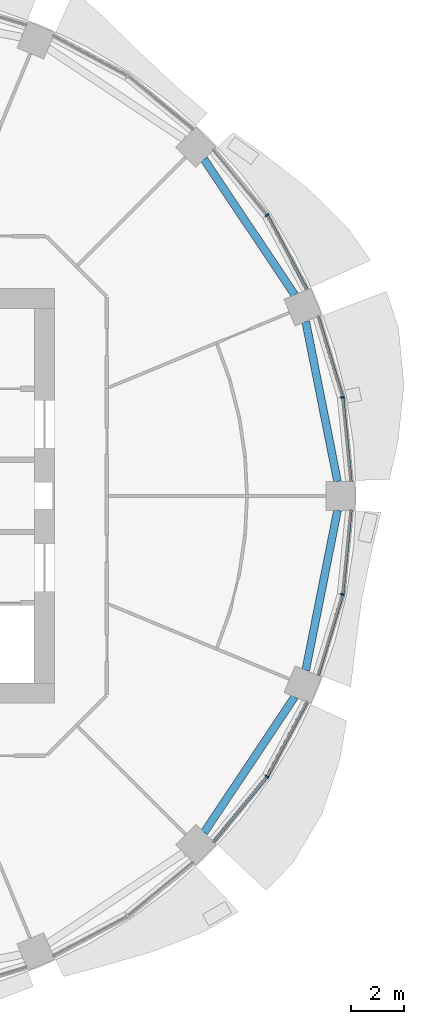
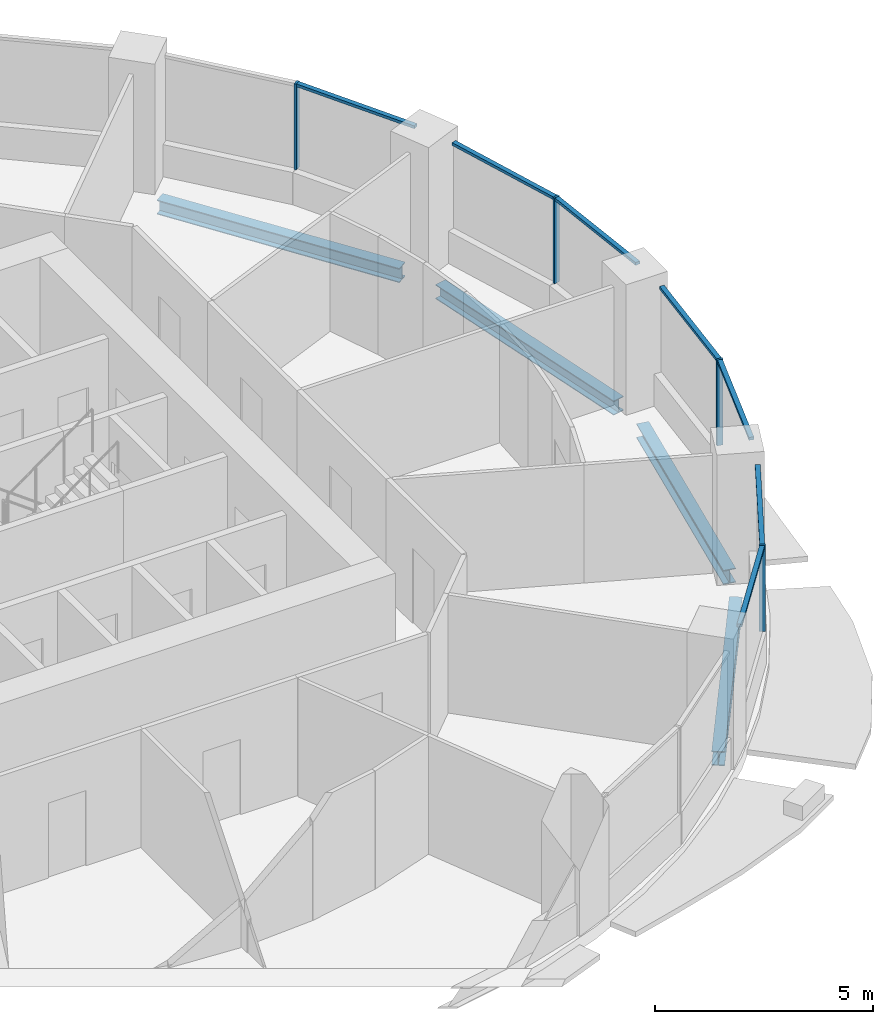
# One storey, part 5 of 15: 11 members, 4 beams, 4 elements without a shape of their own.
"""IFC4 building model written with IfcOpenShell, lengths in metres."""

import ifcopenshell
import ifcopenshell.guid

model = None  # the IFC model being written
_history = None  # IfcOwnerHistory: only IFC2X3 demands one
_inside = {}  # id of a spatial element -> (the spatial element, [elements in it])
_under = {}  # id of a project, library or spatial element -> (it, [spatial elements below it])
_declared = {}  # id of a project -> (the project, [libraries it declares])
_typed = {}  # id of a type object -> (the type object, [elements of that type])
_made_of = {}  # id of a material, layer set ... -> (it, [elements and type objects made of it])


def new_model(schema):
    """Start an empty IFC model of exactly this schema.

    Asked for "IFC4X3", IfcOpenShell would pick the latest addendum, in which some entities
    have other attributes; the version numbers below select the first issue.
    IFC2X3 requires an IfcOwnerHistory on every rooted entity: one is made here for all.
    """
    global model, _history
    if schema == "IFC4X3":
        model = ifcopenshell.file(schema_version=(4, 3, 0, 0))
    else:
        model = ifcopenshell.file(schema=schema)
    _inside.clear()
    _under.clear()
    _declared.clear()
    _typed.clear()
    _made_of.clear()
    _history = None
    if model.schema == "IFC2X3":
        org = make("IfcOrganization", Name="unknown")
        user = make(
            "IfcPersonAndOrganization",
            ThePerson=make("IfcPerson", FamilyName="unknown"),
            TheOrganization=org,
        )
        app = make(
            "IfcApplication",
            ApplicationDeveloper=org,
            Version="unknown",
            ApplicationFullName="unknown",
            ApplicationIdentifier="unknown",
        )
        _history = make(
            "IfcOwnerHistory",
            OwningUser=user,
            OwningApplication=app,
            ChangeAction="ADDED",
            CreationDate=0,
        )
    return model


def make(cls, **values):
    """One entity of the class cls with the attributes given. An attribute that is None is left unset."""
    return model.create_entity(
        cls, **{name: value for name, value in values.items() if value is not None}
    )


def rooted(cls, **values):
    """An entity with a GlobalId (a new one), such as an element, a storey or a relation."""
    return make(cls, GlobalId=ifcopenshell.guid.new(), OwnerHistory=_history, **values)


def si_unit(unit_type, name, prefix=None):
    """IfcSIUnit, for example si_unit("LENGTHUNIT", "METRE", prefix="MILLI")."""
    return make("IfcSIUnit", UnitType=unit_type, Prefix=prefix, Name=name)


def assignment(units):
    """IfcUnitAssignment: the units of a project."""
    return None if units is None else make("IfcUnitAssignment", Units=units)


def point(xyz):
    """IfcCartesianPoint."""
    return None if xyz is None else make("IfcCartesianPoint", Coordinates=xyz)


def direction(xyz):
    """IfcDirection."""
    return None if xyz is None else make("IfcDirection", DirectionRatios=xyz)


def frame(location, z_axis=None, x_axis=None):
    """IfcAxis2Placement3D, a coordinate frame: its origin and axes. An axis left out is left unset."""
    return make(
        "IfcAxis2Placement3D",
        Location=point(location),
        Axis=direction(z_axis),
        RefDirection=direction(x_axis),
    )


def frame_2d(location, x_axis=None):
    """IfcAxis2Placement2D, a coordinate frame in the plane: its origin and x axis."""
    return make(
        "IfcAxis2Placement2D", Location=point(location), RefDirection=direction(x_axis)
    )


def origin():
    """The frame at (0, 0, 0) with its axes left unset."""
    return frame((0.0, 0.0, 0.0))


def origin_2d():
    """The frame at (0, 0) in the plane with its x axis left unset."""
    return frame_2d((0.0, 0.0))


def place(relative_to, where):
    """IfcLocalPlacement: puts the frame where relative to a parent placement (None: the world)."""
    return make(
        "IfcLocalPlacement", PlacementRelTo=relative_to, RelativePlacement=where
    )


def context(
    kind, dimensions, precision=None, world=None, true_north=None, identifier=None
):
    """IfcGeometricRepresentationContext, for example the 3D "Model" context."""
    return make(
        "IfcGeometricRepresentationContext",
        ContextIdentifier=identifier,
        ContextType=kind,
        CoordinateSpaceDimension=dimensions,
        Precision=precision,
        WorldCoordinateSystem=world,
        TrueNorth=true_north,
    )


def subcontext(parent, identifier, kind, view, scale=None):
    """IfcGeometricRepresentationSubContext, for example "Body" below "Model"."""
    return make(
        "IfcGeometricRepresentationSubContext",
        ContextIdentifier=identifier,
        ContextType=kind,
        ParentContext=parent,
        TargetScale=scale,
        TargetView=view,
    )


def project(units=None, contexts=None):
    """IfcProject with its units and contexts."""
    return rooted(
        "IfcProject",
        Name="project",
        RepresentationContexts=contexts,
        UnitsInContext=assignment(units),
    )


def spatial(cls, under=None, at=None, **own):
    """A site, building, storey or space (cls), placed at a placement, below another one or the project."""
    s = rooted(cls, ObjectPlacement=at, **own)
    if under is not None:
        _under.setdefault(under.id(), (under, []))[1].append(s)
    return s


def profile(cls, at=None, kind="AREA", **sizes):
    """A parametric profile (cls). Its sizes go by their IFC names, for example OverallWidth=200.0."""
    return make(cls, ProfileType=kind, Position=at, **sizes)


def rectangle(**sizes):
    """IfcRectangleProfileDef."""
    return profile("IfcRectangleProfileDef", **sizes)


def i_section(**sizes):
    """IfcIShapeProfileDef."""
    return profile("IfcIShapeProfileDef", **sizes)


def extrude(swept, where, along, depth):
    """IfcExtrudedAreaSolid: the profile swept, set in the frame where, extruded along a direction by depth."""
    return make(
        "IfcExtrudedAreaSolid",
        SweptArea=swept,
        Position=where,
        ExtrudedDirection=direction(along),
        Depth=depth,
    )


def shape(context_of_items, identifier, shape_type, items):
    """IfcShapeRepresentation: the items that make up one representation, for example the "Body"."""
    return make(
        "IfcShapeRepresentation",
        ContextOfItems=context_of_items,
        RepresentationIdentifier=identifier,
        RepresentationType=shape_type,
        Items=items,
    )


def material(Name=None, Category=None):
    """IfcMaterial."""
    return make("IfcMaterial", Name=Name, Category=Category)


def material_profile(
    of_material, cross_section, Name=None, Category=None, Priority=None
):
    """IfcMaterialProfile: a cross section and its material."""
    return make(
        "IfcMaterialProfile",
        Name=Name,
        Material=of_material,
        Profile=cross_section,
        Priority=Priority,
        Category=Category,
    )


def profile_set(profiles, Name=None, composite=None):
    """IfcMaterialProfileSet."""
    return make(
        "IfcMaterialProfileSet",
        Name=Name,
        MaterialProfiles=profiles,
        CompositeProfile=composite,
    )


def made_of(thing, what):
    """Note that an element or type object is made of a material, layer set ...; save() writes the relation."""
    if what is not None:
        _made_of.setdefault(what.id(), (what, []))[1].append(thing)
    return thing


def type_object(cls, material=None, **own):
    """A type object (cls), such as IfcWallType, which elements share."""
    return made_of(rooted(cls, **own), material)


def element(
    cls,
    number,
    at=None,
    inside=None,
    cuts=None,
    type_object=None,
    material=None,
    context=None,
    identifier="Body",
    shape_type=None,
    held_by="IfcProductDefinitionShape",
    body=None,
    shapes=None,
    **own,
):
    """One element of the class cls, such as IfcWall. Its Tag is "e" and its number.

    at: its placement. inside: the storey or other place that contains it. cuts: it is an
    opening in that element (IfcRelVoidsElement). A single representation is given by context,
    identifier, shape_type and body (its items); several are given by shapes. held_by: the class
    of the entity that holds the representations. save() writes the other relations.
    """
    e = rooted(cls, Tag="e%d" % number, ObjectPlacement=at, **own)
    if body is not None:
        shapes = [shape(context, identifier, shape_type, body)]
    if shapes is not None:
        e.Representation = make(held_by, Representations=shapes)
    if inside is not None:
        _inside.setdefault(inside.id(), (inside, []))[1].append(e)
    if cuts is not None:
        rooted(
            "IfcRelVoidsElement", RelatingBuildingElement=cuts, RelatedOpeningElement=e
        )
    if type_object is not None:
        _typed.setdefault(type_object.id(), (type_object, []))[1].append(e)
    return made_of(e, material)


def aggregate(whole, parts):
    """IfcRelAggregates: a whole, such as a stair, and the parts it consists of."""
    return rooted("IfcRelAggregates", RelatingObject=whole, RelatedObjects=parts)


def save(model, path):
    """Write the relations noted so far, then the file.

    IfcRelAggregates (storeys below a building ...), IfcRelContainedInSpatialStructure (elements
    in a storey), IfcRelDefinesByType, IfcRelAssociatesMaterial and IfcRelDeclares: one each for
    every whole, place, type object, material and project.
    """
    for whole, parts in _under.values():
        aggregate(whole, parts)
    for where, things in _inside.values():
        rooted(
            "IfcRelContainedInSpatialStructure",
            RelatedElements=things,
            RelatingStructure=where,
        )
    for kind, things in _typed.values():
        rooted("IfcRelDefinesByType", RelatedObjects=things, RelatingType=kind)
    for what, things in _made_of.values():
        rooted("IfcRelAssociatesMaterial", RelatedObjects=things, RelatingMaterial=what)
    for by, libraries in _declared.values():
        rooted("IfcRelDeclares", RelatingContext=by, RelatedDefinitions=libraries)
    model.write(path)


model = new_model("IFC4")

# Units and contexts
model_context = context("Model", 3, precision=1e-05, world=origin(), true_north=direction((0.0, 1.0)))
body_context = subcontext(model_context, "Body", "Model", "MODEL_VIEW")
ifc_project = project(units=[si_unit("LENGTHUNIT", "METRE"), si_unit("AREAUNIT", "SQUARE_METRE"), si_unit("VOLUMEUNIT", "CUBIC_METRE"), si_unit("PLANEANGLEUNIT", "RADIAN"), si_unit("MASSUNIT", "GRAM", prefix="KILO")], contexts=[model_context])

# Site, building, storey
site_placement = place(None, origin())
site = spatial("IfcSite", under=ifc_project, at=site_placement, CompositionType="ELEMENT")
building_placement = place(site_placement, origin())
building = spatial("IfcBuilding", under=site, at=building_placement, Name="Polderwave Tower", CompositionType="ELEMENT")
storey_placement = place(building_placement, frame((0.0, 0.0, 87.35009765625)))
storey = spatial("IfcBuildingStorey", under=building, at=storey_placement, Name="L22", CompositionType="ELEMENT", Elevation=87.35009765625)

# Curtain wall, member
ifc_material_1 = material(Name="Aluminium 6063-T6 and glass", Category="aluminium")
curtain_wall_type = type_object("IfcCurtainWallType", Name="Growing floor ribbon glazing wall", PredefinedType="NOTDEFINED", material=ifc_material_1)
curtain_wall_1_placement = place(storey_placement, origin())
curtain_wall_1 = element("IfcCurtainWall", 1, at=curtain_wall_1_placement, inside=storey, type_object=curtain_wall_type, Name="CW2 L22 00", PredefinedType="NOTDEFINED")
ifc_material_2 = material(Name="Aluminium 6063-T6", Category="aluminium")
ifc_material_profile_1 = material_profile(ifc_material_2, rectangle(XDim=0.14990234375, YDim=0.06005859375, at=origin_2d()), Name="AL 60x150")
ifc_profile_set_1 = profile_set([ifc_material_profile_1], Name="Aluminium 6063-T6")
member_type_1 = type_object("IfcMemberType", Name="Growing floor ribbon glazing mullion 60x150", PredefinedType="MULLION", material=ifc_profile_set_1)
member_1_placement = place(storey_placement, frame((18.8310546875, 3.74609375, 0.89990234375), z_axis=(0.0, 0.0, 1.0), x_axis=(-0.980783918392, -0.195097169184, 0.0)))
member_1 = element("IfcMember", 2, at=member_1_placement, type_object=member_type_1, Name="CW2 mullion 1", PredefinedType="MULLION", context=body_context, shape_type="SweptSolid", body=[
    extrude(rectangle(XDim=0.14990234375, YDim=0.06005859375, at=origin_2d()), origin(), (0.0, 0.0, 1.0), 2.39990234375),
])

curtain_wall_2_placement = place(storey_placement, origin())
curtain_wall_2 = element("IfcCurtainWall", 3, at=curtain_wall_2_placement, inside=storey, type_object=curtain_wall_type, Name="CW2 L22 01", PredefinedType="NOTDEFINED")
member_2_placement = place(storey_placement, frame((15.964111328125, 10.6669921875, 0.89990234375), z_axis=(0.0, 0.0, 1.0), x_axis=(-0.831444400469, -0.555607963342, 0.0)))
member_2 = element("IfcMember", 4, at=member_2_placement, type_object=member_type_1, Name="CW2 mullion 1", PredefinedType="MULLION", context=body_context, shape_type="SweptSolid", body=[
    extrude(rectangle(XDim=0.14990234375, YDim=0.06005859375, at=origin_2d()), origin(), (0.0, 0.0, 1.0), 2.39990234375),
])

curtain_wall_3_placement = place(storey_placement, origin())
curtain_wall_3 = element("IfcCurtainWall", 5, at=curtain_wall_3_placement, inside=storey, type_object=curtain_wall_type, Name="CW2 L22 14", PredefinedType="NOTDEFINED")
member_3_placement = place(storey_placement, frame((15.964111328125, -10.6669921875, 0.89990234375), z_axis=(0.0, 0.0, 1.0), x_axis=(-0.831444400469, 0.555607963342, 0.0)))
member_3 = element("IfcMember", 6, at=member_3_placement, type_object=member_type_1, Name="CW2 mullion 1", PredefinedType="MULLION", context=body_context, shape_type="SweptSolid", body=[
    extrude(rectangle(XDim=0.14990234375, YDim=0.06005859375, at=origin_2d()), origin(), (0.0, 0.0, 1.0), 2.39990234375),
])

curtain_wall_4_placement = place(storey_placement, origin())
curtain_wall_4 = element("IfcCurtainWall", 7, at=curtain_wall_4_placement, inside=storey, type_object=curtain_wall_type, Name="CW2 L22 15", PredefinedType="NOTDEFINED")
member_4_placement = place(storey_placement, frame((18.8310546875, -3.74609375, 0.89990234375), z_axis=(0.0, 0.0, 1.0), x_axis=(-0.980783918392, 0.195097169184, 0.0)))
member_4 = element("IfcMember", 8, at=member_4_placement, type_object=member_type_1, Name="CW2 mullion 1", PredefinedType="MULLION", context=body_context, shape_type="SweptSolid", body=[
    extrude(rectangle(XDim=0.14990234375, YDim=0.06005859375, at=origin_2d()), origin(), (0.0, 0.0, 1.0), 2.39990234375),
])

# Member
ifc_material_profile_2 = material_profile(ifc_material_2, rectangle(XDim=0.1201171875, YDim=0.080078125, at=origin_2d()), Name="AL 80x120")
ifc_profile_set_2 = profile_set([ifc_material_profile_2], Name="Aluminium 6063-T6")
member_type_2 = type_object("IfcMemberType", Name="Growing floor ribbon glazing transom 80x120", PredefinedType="USERDEFINED", material=ifc_profile_set_2)
member_5_placement = place(storey_placement, frame((19.14599609375, 0.550048828125, 3.260009765625), z_axis=(-0.098075167681, 0.995179009769, 0.0), x_axis=(-0.995179009769, -0.098075167681, 0.0)))
member_5 = element("IfcMember", 9, at=member_5_placement, type_object=member_type_2, Name="CW2 transom 1", ObjectType="TRANSOM", PredefinedType="USERDEFINED", context=body_context, shape_type="SweptSolid", body=[
    extrude(rectangle(XDim=0.1201171875, YDim=0.080078125, at=origin_2d()), origin(), (0.0, 0.0, 1.0), 3.181396484375),
])

member_6_placement = place(storey_placement, frame((18.822265625, 3.774658203125, 3.260009765625), z_axis=(-0.290233155766, 0.95695596309, 0.0), x_axis=(-0.95695596309, -0.290233155766, 0.0)))
member_6 = element("IfcMember", 10, at=member_6_placement, type_object=member_type_2, Name="CW2 transom 2", ObjectType="TRANSOM", PredefinedType="USERDEFINED", context=body_context, shape_type="SweptSolid", body=[
    extrude(rectangle(XDim=0.1201171875, YDim=0.080078125, at=origin_2d()), origin(), (0.0, 0.0, 1.0), 3.181396484375),
])

aggregate(curtain_wall_1, [member_1, member_5, member_6])

member_7_placement = place(storey_placement, frame((17.47802734375, 7.8349609375, 3.260009765625), z_axis=(-0.471512085827, 0.881859599323, 0.0), x_axis=(-0.881859599323, -0.471512085827, 0.0)))
member_7 = element("IfcMember", 11, at=member_7_placement, type_object=member_type_2, Name="CW2 transom 1", ObjectType="TRANSOM", PredefinedType="USERDEFINED", context=body_context, shape_type="SweptSolid", body=[
    extrude(rectangle(XDim=0.1201171875, YDim=0.080078125, at=origin_2d()), origin(), (0.0, 0.0, 1.0), 3.18115234375),
])

aggregate(curtain_wall_2, [member_2, member_7])

member_8_placement = place(storey_placement, frame((13.927001953125, -13.14892578125, 3.260009765625), z_axis=(0.634436573251, 0.772974924898, 0.0), x_axis=(-0.772974924898, 0.634436573251, 0.0)))
member_8 = element("IfcMember", 12, at=member_8_placement, type_object=member_type_2, Name="CW2 transom 1", ObjectType="TRANSOM", PredefinedType="USERDEFINED", context=body_context, shape_type="SweptSolid", body=[
    extrude(rectangle(XDim=0.1201171875, YDim=0.080078125, at=origin_2d()), origin(), (0.0, 0.0, 1.0), 3.180908203125),
])

member_9_placement = place(storey_placement, frame((15.97802734375, -10.640380859375, 3.260009765625), z_axis=(0.471512085827, 0.881859599323, 0.0), x_axis=(-0.881859599323, 0.471512085827, 0.0)))
member_9 = element("IfcMember", 13, at=member_9_placement, type_object=member_type_2, Name="CW2 transom 2", ObjectType="TRANSOM", PredefinedType="USERDEFINED", context=body_context, shape_type="SweptSolid", body=[
    extrude(rectangle(XDim=0.1201171875, YDim=0.080078125, at=origin_2d()), origin(), (0.0, 0.0, 1.0), 3.18115234375),
])

aggregate(curtain_wall_3, [member_3, member_8, member_9])

member_10_placement = place(storey_placement, frame((17.89892578125, -6.819091796875, 3.260009765625), z_axis=(0.290233155766, 0.95695596309, 0.0), x_axis=(-0.95695596309, 0.290233155766, 0.0)))
member_10 = element("IfcMember", 14, at=member_10_placement, type_object=member_type_2, Name="CW2 transom 1", ObjectType="TRANSOM", PredefinedType="USERDEFINED", context=body_context, shape_type="SweptSolid", body=[
    extrude(rectangle(XDim=0.1201171875, YDim=0.080078125, at=origin_2d()), origin(), (0.0, 0.0, 1.0), 3.181396484375),
])

member_11_placement = place(storey_placement, frame((18.833984375, -3.716064453125, 3.260009765625), z_axis=(0.098075167681, 0.995179009769, 0.0), x_axis=(-0.995179009769, 0.098075167681, 0.0)))
member_11 = element("IfcMember", 15, at=member_11_placement, type_object=member_type_2, Name="CW2 transom 2", ObjectType="TRANSOM", PredefinedType="USERDEFINED", context=body_context, shape_type="SweptSolid", body=[
    extrude(rectangle(XDim=0.1201171875, YDim=0.080078125, at=origin_2d()), origin(), (0.0, 0.0, 1.0), 3.181396484375),
])

aggregate(curtain_wall_4, [member_4, member_10, member_11])

# Beams
ifc_material_3 = material(Name="Steel S355", Category="steel")
ifc_material_profile_3 = material_profile(ifc_material_3, i_section(OverallWidth=0.300048828125, OverallDepth=0.39990234375, WebThickness=0.013427734375, FlangeThickness=0.02392578125, at=origin_2d()), Name="HE 400 B")
ifc_profile_set_3 = profile_set([ifc_material_profile_3], Name="Steel S355")
beam_type = type_object("IfcBeamType", Name="RING BEAM HE 400 B", PredefinedType="BEAM", material=ifc_profile_set_3)
for number, where, z_axis, x_axis, name in (
    (16, (18.640625, 0.550048828125, -0.550048828125), (-0.195100355977, 0.980783284471, 0.0), (-0.980783284471, -0.195100355977, 0.0), "ST-RB-L22-00"),
    (17, (17.01123046875, 7.6416015625, -0.550048828125), (-0.555573051966, 0.831467728736, 0.0), (-0.831467728736, -0.555573051966, 0.0), "ST-RB-L22-01"),
    (18, (13.56982421875, -12.7919921875, -0.550048828125), (0.555573051966, 0.831467728736, 0.0), (-0.831467728736, 0.555573051966, 0.0), "ST-RB-L22-14"),
    (19, (17.43212890625, -6.625244140625, -0.550048828125), (0.195100355977, 0.980783284471, 0.0), (-0.980783284471, 0.195100355977, 0.0), "ST-RB-L22-15"),
):
    element("IfcBeam", number, at=place(storey_placement, frame(where, z_axis=z_axis, x_axis=x_axis)), inside=storey, type_object=beam_type, Name=name, PredefinedType="BEAM", context=body_context, shape_type="SweptSolid", body=[
        extrude(i_section(OverallWidth=0.300048828125, OverallDepth=0.39990234375, WebThickness=0.013427734375, FlangeThickness=0.02392578125, at=origin_2d()), origin(), (0.0, 0.0, 1.0), 6.1943359375),
    ])

save(model, "model.ifc")
